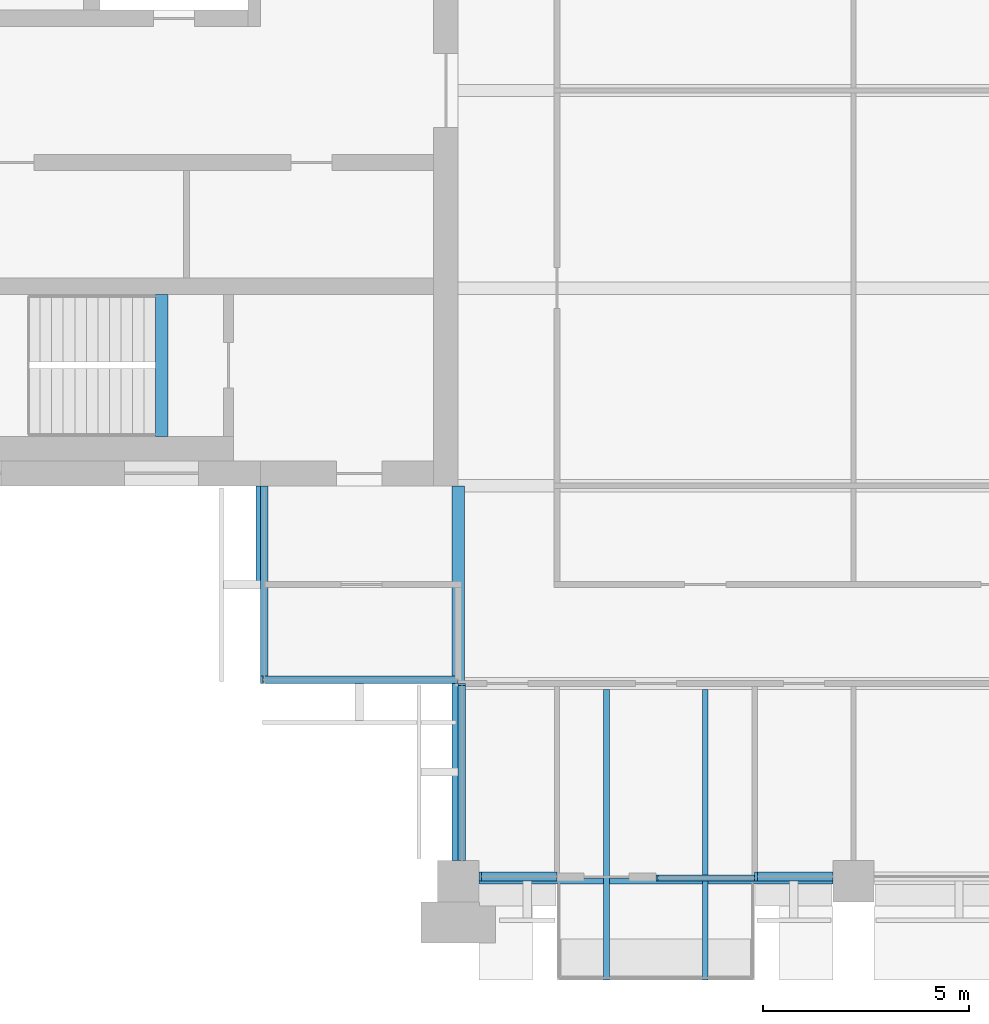
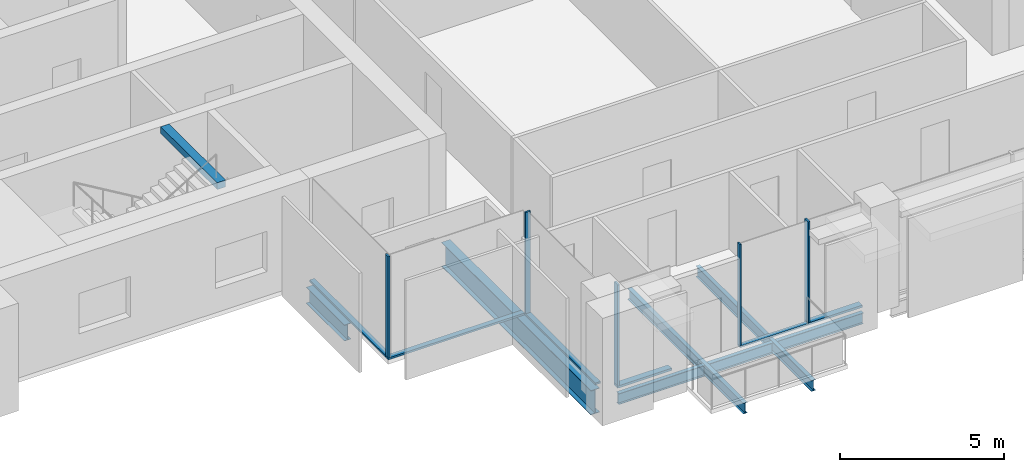
# One storey, part 2 of 14: 11 members, 8 beams, 6 elements without a shape of their own.
"""IFC4 building model written with IfcOpenShell, lengths in metres."""

from ifc_helpers import new_model, si_unit, direction, frame, origin, origin_2d, place, context, subcontext, project, spatial, rectangle, i_section, extrude, material, material_profile, profile_set, type_object, element, aggregate, save


model = new_model("IFC4")

# Units and contexts
model_context = context("Model", 3, precision=1e-05, world=origin(), true_north=direction((0.0, 1.0)))
body_context = subcontext(model_context, "Body", "Model", "MODEL_VIEW")
ifc_project = project(units=[si_unit("LENGTHUNIT", "METRE"), si_unit("AREAUNIT", "SQUARE_METRE"), si_unit("VOLUMEUNIT", "CUBIC_METRE"), si_unit("PLANEANGLEUNIT", "RADIAN"), si_unit("MASSUNIT", "GRAM", prefix="KILO")], contexts=[model_context])

# Site, building, storey
site_placement = place(None, origin())
site = spatial("IfcSite", under=ifc_project, at=site_placement, CompositionType="ELEMENT")
building_placement = place(site_placement, origin())
building = spatial("IfcBuilding", under=site, at=building_placement, Name="Baori Bourse Tower", CompositionType="ELEMENT")
storey_placement = place(building_placement, frame((0.0, 0.0, 290.300048828125)))
storey = spatial("IfcBuildingStorey", under=building, at=storey_placement, Name="L63", CompositionType="ELEMENT", Elevation=290.300048828125)

# Beams
ifc_material_1 = material(Name="Steel A992 Gr 50", Category="steel")
ifc_material_profile_1 = material_profile(ifc_material_1, i_section(OverallWidth=0.140380859375, OverallDepth=0.40380859375, WebThickness=0.007080078125, FlangeThickness=0.01123046875, at=origin_2d()), Name="W16x31")
ifc_profile_set_1 = profile_set([ifc_material_profile_1], Name="Steel A992 Gr 50")
beam_type_1 = type_object("IfcBeamType", Name="Balcony beam W16x31", PredefinedType="BEAM", material=ifc_profile_set_1)
for number, where, z_axis, x_axis, name in (
    (1, (22.800048828125, -2.39990234375, -0.362060546875), (0.0, 1.0, 0.0), (-1.0, 0.0, 0.0), "Balcony beam L63"),
    (2, (25.199951171875, -2.39990234375, -0.362060546875), (0.0, 1.0, 0.0), (-1.0, 0.0, 0.0), "Balcony beam L63"),
):
    element("IfcBeam", number, at=place(storey_placement, frame(where, z_axis=z_axis, x_axis=x_axis)), inside=storey, type_object=beam_type_1, Name=name, PredefinedType="BEAM", context=body_context, shape_type="SweptSolid", body=[
        extrude(i_section(OverallWidth=0.140380859375, OverallDepth=0.40380859375, WebThickness=0.007080078125, FlangeThickness=0.01123046875, at=origin_2d()), origin(), (0.0, 0.0, 1.0), 7.050048828125),
    ])

# Curtain wall, member
ifc_material_2 = material(Name="Pale anodised aluminium", Category="aluminium")
curtain_wall_type_1 = type_object("IfcCurtainWallType", Name="CW2 Curtain wall", PredefinedType="NOTDEFINED", material=ifc_material_2)
curtain_wall_1_placement = place(storey_placement, origin())
curtain_wall_1 = element("IfcCurtainWall", 3, at=curtain_wall_1_placement, inside=storey, type_object=curtain_wall_type_1, Name="Curtain wall CW2 L63 11", PredefinedType="NOTDEFINED")
ifc_material_3 = material(Name="Pale anodised aluminium", Category="aluminium")
ifc_material_profile_2 = material_profile(ifc_material_3, rectangle(XDim=0.179931640625, YDim=0.054931640625, at=origin_2d()), Name="Mullion 55x180")
ifc_profile_set_2 = profile_set([ifc_material_profile_2], Name="Pale anodised aluminium")
member_type_1 = type_object("IfcMemberType", Name="CW2 Curtain wall mullion", PredefinedType="MULLION", material=ifc_profile_set_2)
member_1_placement = place(storey_placement, frame((14.427490234375, 4.889892578125, 0.070068359375), z_axis=(0.0, 0.0, 1.0), x_axis=(0.0, 1.0, 0.0)))
member_1 = element("IfcMember", 4, at=member_1_placement, type_object=member_type_1, Name="Curtain wall CW2 mullion", PredefinedType="MULLION", context=body_context, shape_type="SweptSolid", body=[
    extrude(rectangle(XDim=0.179931640625, YDim=0.054931640625, at=origin_2d()), origin(), (0.0, 0.0, 1.0), 3.769775390625),
])

curtain_wall_2_placement = place(storey_placement, origin())
curtain_wall_2 = element("IfcCurtainWall", 5, at=curtain_wall_2_placement, inside=storey, type_object=curtain_wall_type_1, Name="Curtain wall CW2 L63 12", PredefinedType="NOTDEFINED")
member_2_placement = place(storey_placement, frame((19.2900390625, 4.7724609375, 0.070068359375), z_axis=(0.0, 0.0, 1.0), x_axis=(1.0, 0.0, 0.0)))
member_2 = element("IfcMember", 6, at=member_2_placement, type_object=member_type_1, Name="Curtain wall CW2 mullion", PredefinedType="MULLION", context=body_context, shape_type="SweptSolid", body=[
    extrude(rectangle(XDim=0.179931640625, YDim=0.054931640625, at=origin_2d()), origin(), (0.0, 0.0, 1.0), 3.769775390625),
])

curtain_wall_3_placement = place(storey_placement, origin())
curtain_wall_3 = element("IfcCurtainWall", 7, at=curtain_wall_3_placement, inside=storey, type_object=curtain_wall_type_1, Name="Curtain wall CW2 L63 10", PredefinedType="NOTDEFINED")
ifc_material_4 = material(Name="Pale anodised aluminium", Category="aluminium")
ifc_material_profile_3 = material_profile(ifc_material_4, rectangle(XDim=0.179931640625, YDim=0.070068359375, at=origin_2d()), Name="Transom 70x180")
ifc_profile_set_3 = profile_set([ifc_material_profile_3], Name="Pale anodised aluminium")
member_type_2 = type_object("IfcMemberType", Name="CW2 Curtain wall transom", PredefinedType="USERDEFINED", material=ifc_profile_set_3)
member_3_placement = place(storey_placement, frame((14.489990234375, 9.60009765625, 0.034912109375), z_axis=(0.0, -1.0, 0.0), x_axis=(1.0, 0.0, 0.0)))
member_3 = element("IfcMember", 8, at=member_3_placement, type_object=member_type_2, Name="Curtain wall CW2 sill rail", ObjectType="TRANSOM", PredefinedType="USERDEFINED", context=body_context, shape_type="SweptSolid", body=[
    extrude(rectangle(XDim=0.179931640625, YDim=0.070068359375, at=origin_2d()), origin(), (0.0, 0.0, 1.0), 4.800048828125),
])
aggregate(curtain_wall_3, [member_3])

# Member
member_4_placement = place(storey_placement, frame((14.39990234375, 4.889892578125, 0.034912109375), z_axis=(1.0, 0.0, 0.0), x_axis=(0.0, 1.0, 0.0)))
member_4 = element("IfcMember", 9, at=member_4_placement, type_object=member_type_2, Name="Curtain wall CW2 sill rail", ObjectType="TRANSOM", PredefinedType="USERDEFINED", context=body_context, shape_type="SweptSolid", body=[
    extrude(rectangle(XDim=0.179931640625, YDim=0.070068359375, at=origin_2d()), origin(), (0.0, 0.0, 1.0), 4.800048828125),
])

aggregate(curtain_wall_1, [member_4, member_1])

member_5_placement = place(storey_placement, frame((19.2900390625, 4.800048828125, 0.034912109375), z_axis=(0.0, -1.0, 0.0), x_axis=(1.0, 0.0, 0.0)))
member_5 = element("IfcMember", 10, at=member_5_placement, type_object=member_type_2, Name="Curtain wall CW2 sill rail", ObjectType="TRANSOM", PredefinedType="USERDEFINED", context=body_context, shape_type="SweptSolid", body=[
    extrude(rectangle(XDim=0.179931640625, YDim=0.070068359375, at=origin_2d()), origin(), (0.0, 0.0, 1.0), 4.300048828125),
])

aggregate(curtain_wall_2, [member_5, member_2])

# Curtain wall, member
ifc_material_5 = material(Name="Pale anodised aluminium", Category="aluminium")
curtain_wall_type_2 = type_object("IfcCurtainWallType", Name="CW5 Curtain wall", PredefinedType="NOTDEFINED", material=ifc_material_5)
curtain_wall_4_placement = place(storey_placement, origin())
curtain_wall_4 = element("IfcCurtainWall", 11, at=curtain_wall_4_placement, inside=storey, type_object=curtain_wall_type_2, Name="Curtain wall CW5 L63 13", PredefinedType="NOTDEFINED")
ifc_material_6 = material(Name="Pale anodised aluminium", Category="aluminium")
ifc_material_profile_4 = material_profile(ifc_material_6, rectangle(XDim=0.219970703125, YDim=0.06494140625, at=origin_2d()), Name="Mullion 65x220")
ifc_profile_set_4 = profile_set([ifc_material_profile_4], Name="Pale anodised aluminium")
member_type_3 = type_object("IfcMemberType", Name="CW5 Curtain wall mullion", PredefinedType="MULLION", material=ifc_profile_set_4)
member_6_placement = place(storey_placement, frame((19.732421875, 0.110107421875, 0.0849609375), z_axis=(0.0, 0.0, 1.0), x_axis=(0.0, 1.0, 0.0)))
member_6 = element("IfcMember", 12, at=member_6_placement, type_object=member_type_3, Name="Curtain wall CW5 mullion", PredefinedType="MULLION", context=body_context, shape_type="SweptSolid", body=[
    extrude(rectangle(XDim=0.219970703125, YDim=0.06494140625, at=origin_2d()), origin(), (0.0, 0.0, 1.0), 3.7548828125),
])

curtain_wall_5_placement = place(storey_placement, origin())
curtain_wall_5 = element("IfcCurtainWall", 13, at=curtain_wall_5_placement, inside=storey, type_object=curtain_wall_type_2, Name="Curtain wall CW5 L63 15", PredefinedType="NOTDEFINED")
member_7_placement = place(storey_placement, frame((26.4326171875, 0.110107421875, 0.0849609375), z_axis=(0.0, 0.0, 1.0), x_axis=(0.0, 1.0, 0.0)))
member_7 = element("IfcMember", 14, at=member_7_placement, type_object=member_type_3, Name="Curtain wall CW5 mullion", PredefinedType="MULLION", context=body_context, shape_type="SweptSolid", body=[
    extrude(rectangle(XDim=0.219970703125, YDim=0.06494140625, at=origin_2d()), origin(), (0.0, 0.0, 1.0), 3.7548828125),
])

# Member
ifc_material_7 = material(Name="Pale anodised aluminium", Category="aluminium")
ifc_material_profile_5 = material_profile(ifc_material_7, rectangle(XDim=0.219970703125, YDim=0.0849609375, at=origin_2d()), Name="Transom 85x220")
ifc_profile_set_5 = profile_set([ifc_material_profile_5], Name="Pale anodised aluminium")
member_type_4 = type_object("IfcMemberType", Name="CW5 Curtain wall transom", PredefinedType="USERDEFINED", material=ifc_profile_set_5)
member_8_placement = place(storey_placement, frame((19.699951171875, 0.110107421875, 0.04248046875), z_axis=(1.0, 0.0, 0.0), x_axis=(0.0, 1.0, 0.0)))
member_8 = element("IfcMember", 15, at=member_8_placement, type_object=member_type_4, Name="Curtain wall CW5 sill rail", ObjectType="TRANSOM", PredefinedType="USERDEFINED", context=body_context, shape_type="SweptSolid", body=[
    extrude(rectangle(XDim=0.219970703125, YDim=0.0849609375, at=origin_2d()), origin(), (0.0, 0.0, 1.0), 1.900146484375),
])

aggregate(curtain_wall_4, [member_8, member_6])

member_9_placement = place(storey_placement, frame((26.39990234375, 0.110107421875, 0.04248046875), z_axis=(1.0, 0.0, 0.0), x_axis=(0.0, 1.0, 0.0)))
member_9 = element("IfcMember", 16, at=member_9_placement, type_object=member_type_4, Name="Curtain wall CW5 sill rail", ObjectType="TRANSOM", PredefinedType="USERDEFINED", context=body_context, shape_type="SweptSolid", body=[
    extrude(rectangle(XDim=0.219970703125, YDim=0.0849609375, at=origin_2d()), origin(), (0.0, 0.0, 1.0), 1.900146484375),
])

aggregate(curtain_wall_5, [member_9, member_7])

# Curtain wall, members
ifc_material_8 = material(Name="Pale anodised aluminium", Category="aluminium")
curtain_wall_type_3 = type_object("IfcCurtainWallType", Name="CW6 Curtain wall", PredefinedType="NOTDEFINED", material=ifc_material_8)
curtain_wall_6_placement = place(storey_placement, origin())
curtain_wall_6 = element("IfcCurtainWall", 17, at=curtain_wall_6_placement, inside=storey, type_object=curtain_wall_type_3, Name="Curtain wall CW6 L63 14", PredefinedType="NOTDEFINED")
ifc_material_9 = material(Name="Pale anodised aluminium", Category="aluminium")
ifc_material_profile_6 = material_profile(ifc_material_9, rectangle(XDim=0.14990234375, YDim=0.050048828125, at=origin_2d()), Name="Mullion 50x150")
ifc_profile_set_6 = profile_set([ifc_material_profile_6], Name="Pale anodised aluminium")
member_type_5 = type_object("IfcMemberType", Name="CW6 Curtain wall mullion", PredefinedType="MULLION", material=ifc_profile_set_6)
member_10_placement = place(storey_placement, frame((24.02490234375, 0.074951171875, 0.06494140625), z_axis=(0.0, 0.0, 1.0), x_axis=(0.0, 1.0, 0.0)))
member_10 = element("IfcMember", 18, at=member_10_placement, type_object=member_type_5, Name="Curtain wall CW6 mullion", PredefinedType="MULLION", context=body_context, shape_type="SweptSolid", body=[
    extrude(rectangle(XDim=0.14990234375, YDim=0.050048828125, at=origin_2d()), origin(), (0.0, 0.0, 1.0), 3.77490234375),
])
ifc_material_10 = material(Name="Pale anodised aluminium", Category="aluminium")
ifc_material_profile_7 = material_profile(ifc_material_10, rectangle(XDim=0.14990234375, YDim=0.06494140625, at=origin_2d()), Name="Transom 65x150")
ifc_profile_set_7 = profile_set([ifc_material_profile_7], Name="Pale anodised aluminium")
member_type_6 = type_object("IfcMemberType", Name="CW6 Curtain wall transom", PredefinedType="USERDEFINED", material=ifc_profile_set_7)
member_11_placement = place(storey_placement, frame((24.0, 0.074951171875, 0.032470703125), z_axis=(1.0, 0.0, 0.0), x_axis=(0.0, 1.0, 0.0)))
member_11 = element("IfcMember", 19, at=member_11_placement, type_object=member_type_6, Name="Curtain wall CW6 sill rail", ObjectType="TRANSOM", PredefinedType="USERDEFINED", context=body_context, shape_type="SweptSolid", body=[
    extrude(rectangle(XDim=0.14990234375, YDim=0.06494140625, at=origin_2d()), origin(), (0.0, 0.0, 1.0), 2.39990234375),
])
aggregate(curtain_wall_6, [member_11, member_10])

# Beams
ifc_material_11 = material(Name="Steel A992 Gr 50", Category="steel")
ifc_material_profile_8 = material_profile(ifc_material_11, i_section(OverallWidth=0.227783203125, OverallDepth=0.60205078125, WebThickness=0.010498046875, FlangeThickness=0.014892578125, at=origin_2d()), Name="W24x68")
ifc_profile_set_8 = profile_set([ifc_material_profile_8], Name="Steel A992 Gr 50")
beam_type_2 = type_object("IfcBeamType", Name="Core bracket W24x68", PredefinedType="BEAM", material=ifc_profile_set_8)
beam_1_placement = place(storey_placement, frame((14.39990234375, 7.270263671875, -0.4609375), z_axis=(0.0, 1.0, 0.0), x_axis=(-1.0, 0.0, 0.0)))
element("IfcBeam", 20, at=beam_1_placement, inside=storey, type_object=beam_type_2, Name="Core bracket L63", PredefinedType="BEAM", context=body_context, shape_type="SweptSolid", body=[
    extrude(i_section(OverallWidth=0.227783203125, OverallDepth=0.60205078125, WebThickness=0.010498046875, FlangeThickness=0.014892578125, at=origin_2d()), origin(), (0.0, 0.0, 1.0), 2.329833984375),
])
ifc_material_12 = material(Name="Steel A992 Gr 50", Category="steel")
ifc_material_profile_9 = material_profile(ifc_material_12, i_section(OverallWidth=0.140380859375, OverallDepth=0.40380859375, WebThickness=0.007080078125, FlangeThickness=0.01123046875, at=origin_2d()), Name="W16x31")
ifc_profile_set_9 = profile_set([ifc_material_profile_9], Name="Steel A992 Gr 50")
beam_type_3 = type_object("IfcBeamType", Name="Edge beam W16x31", PredefinedType="BEAM", material=ifc_profile_set_9)
beam_2_placement = place(storey_placement, frame((19.699951171875, 0.0, -0.362060546875), z_axis=(1.0, 0.0, 0.0), x_axis=(0.0, 1.0, 0.0)))
element("IfcBeam", 21, at=beam_2_placement, inside=storey, type_object=beam_type_3, Name="Edge beam L63", PredefinedType="BEAM", context=body_context, shape_type="SweptSolid", body=[
    extrude(i_section(OverallWidth=0.140380859375, OverallDepth=0.40380859375, WebThickness=0.007080078125, FlangeThickness=0.01123046875, at=origin_2d()), origin(), (0.0, 0.0, 1.0), 3.02978515625),
])
beam_3_placement = place(storey_placement, frame((22.8701171875, 0.0, -0.362060546875), z_axis=(1.0, 0.0, 0.0), x_axis=(0.0, 1.0, 0.0)))
element("IfcBeam", 22, at=beam_3_placement, inside=storey, type_object=beam_type_3, Name="Edge beam L63", PredefinedType="BEAM", context=body_context, shape_type="SweptSolid", body=[
    extrude(i_section(OverallWidth=0.140380859375, OverallDepth=0.40380859375, WebThickness=0.007080078125, FlangeThickness=0.01123046875, at=origin_2d()), origin(), (0.0, 0.0, 1.0), 2.259765625),
])
beam_4_placement = place(storey_placement, frame((25.270263671875, 0.0, -0.362060546875), z_axis=(1.0, 0.0, 0.0), x_axis=(0.0, 1.0, 0.0)))
element("IfcBeam", 23, at=beam_4_placement, inside=storey, type_object=beam_type_3, Name="Edge beam L63", PredefinedType="BEAM", context=body_context, shape_type="SweptSolid", body=[
    extrude(i_section(OverallWidth=0.140380859375, OverallDepth=0.40380859375, WebThickness=0.007080078125, FlangeThickness=0.01123046875, at=origin_2d()), origin(), (0.0, 0.0, 1.0), 3.02978515625),
])
ifc_material_13 = material(Name="Steel A992 Gr 50", Category="steel")
ifc_material_profile_10 = material_profile(ifc_material_13, i_section(OverallWidth=0.3046875, OverallDepth=0.904296875, WebThickness=0.01513671875, FlangeThickness=0.02001953125, at=origin_2d()), Name="W36x135")
ifc_profile_set_10 = profile_set([ifc_material_profile_10], Name="Steel A992 Gr 50")
beam_type_4 = type_object("IfcBeamType", Name="Girder W36x135", PredefinedType="BEAM", material=ifc_profile_set_10)
beam_5_placement = place(storey_placement, frame((19.199951171875, 0.5, -0.612060546875), z_axis=(0.0, 1.0, 0.0), x_axis=(-1.0, 0.0, 0.0)))
element("IfcBeam", 24, at=beam_5_placement, inside=storey, type_object=beam_type_4, Name="Girder L63", PredefinedType="BEAM", context=body_context, shape_type="SweptSolid", body=[
    extrude(i_section(OverallWidth=0.3046875, OverallDepth=0.904296875, WebThickness=0.01513671875, FlangeThickness=0.02001953125, at=origin_2d()), origin(), (0.0, 0.0, 1.0), 9.10009765625),
])
ifc_material_14 = material(Name="Concrete f'c 50 MPa", Category="concrete")
ifc_material_profile_11 = material_profile(ifc_material_14, rectangle(XDim=0.300048828125, YDim=0.25, at=origin_2d()), Name="RC 300x250")
ifc_profile_set_11 = profile_set([ifc_material_profile_11], Name="Concrete f'c 50 MPa")
beam_type_5 = type_object("IfcBeamType", Name="Stair nib beam RC 300x250", PredefinedType="BEAM", material=ifc_profile_set_11)
beam_6_placement = place(storey_placement, frame((12.0, 10.800048828125, 3.71484375), z_axis=(0.0, 1.0, 0.0), x_axis=(-1.0, 0.0, 0.0)))
element("IfcBeam", 25, at=beam_6_placement, inside=storey, type_object=beam_type_5, Name="Stair WA nib beam L64", PredefinedType="BEAM", context=body_context, shape_type="SweptSolid", body=[
    extrude(rectangle(XDim=0.300048828125, YDim=0.25, at=origin_2d()), origin(), (0.0, 0.0, 1.0), 3.449951171875),
])

save(model, "model.ifc")
